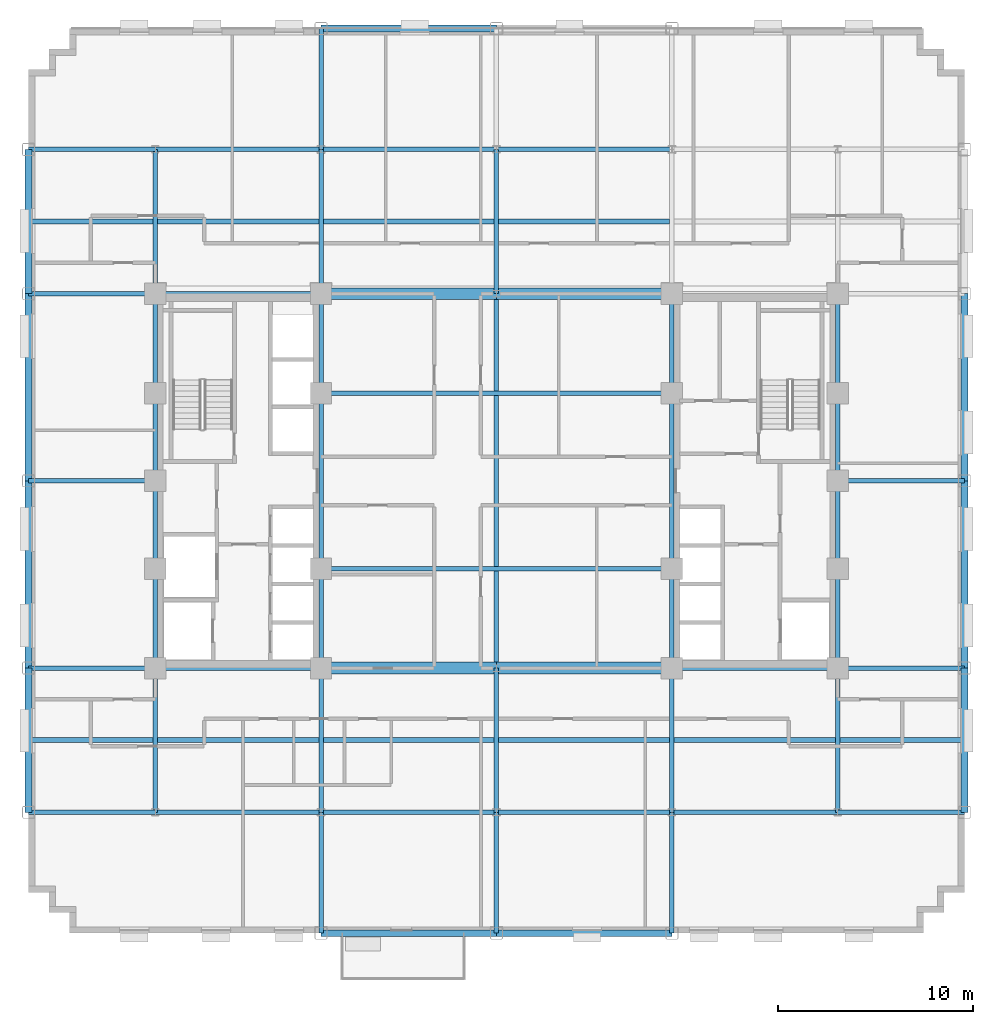
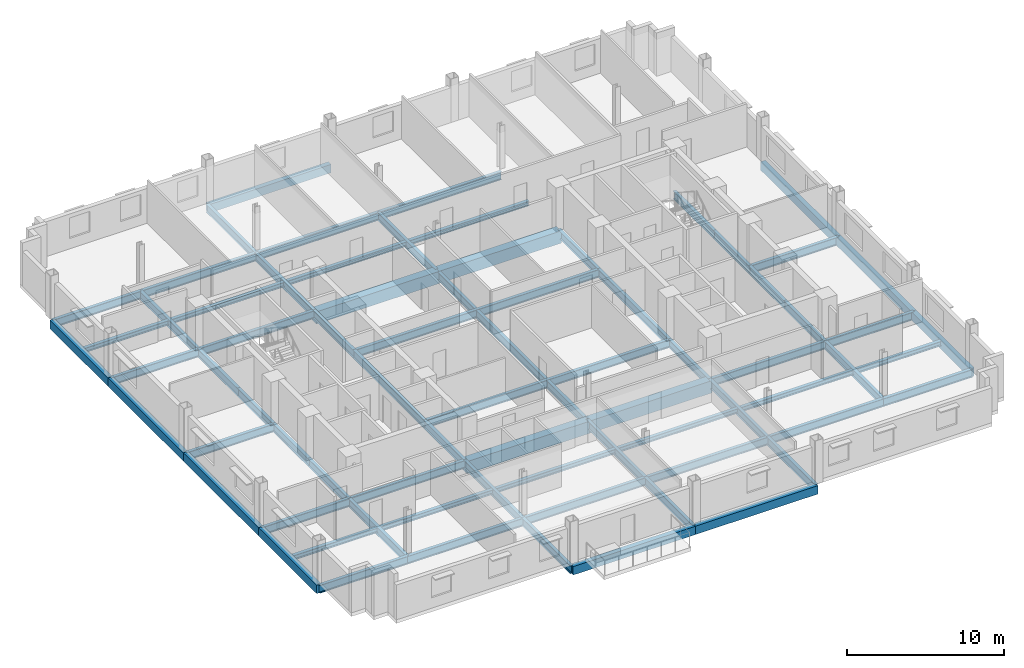
# One storey, part 4 of 14: 71 beams.
"""IFC4 building model written with IfcOpenShell, lengths in metres."""

import ifcopenshell
import ifcopenshell.guid

model = None  # the IFC model being written
_history = None  # IfcOwnerHistory: only IFC2X3 demands one
_inside = {}  # id of a spatial element -> (the spatial element, [elements in it])
_under = {}  # id of a project, library or spatial element -> (it, [spatial elements below it])
_declared = {}  # id of a project -> (the project, [libraries it declares])
_typed = {}  # id of a type object -> (the type object, [elements of that type])
_made_of = {}  # id of a material, layer set ... -> (it, [elements and type objects made of it])


def new_model(schema):
    """Start an empty IFC model of exactly this schema.

    Asked for "IFC4X3", IfcOpenShell would pick the latest addendum, in which some entities
    have other attributes; the version numbers below select the first issue.
    IFC2X3 requires an IfcOwnerHistory on every rooted entity: one is made here for all.
    """
    global model, _history
    if schema == "IFC4X3":
        model = ifcopenshell.file(schema_version=(4, 3, 0, 0))
    else:
        model = ifcopenshell.file(schema=schema)
    _inside.clear()
    _under.clear()
    _declared.clear()
    _typed.clear()
    _made_of.clear()
    _history = None
    if model.schema == "IFC2X3":
        org = make("IfcOrganization", Name="unknown")
        user = make(
            "IfcPersonAndOrganization",
            ThePerson=make("IfcPerson", FamilyName="unknown"),
            TheOrganization=org,
        )
        app = make(
            "IfcApplication",
            ApplicationDeveloper=org,
            Version="unknown",
            ApplicationFullName="unknown",
            ApplicationIdentifier="unknown",
        )
        _history = make(
            "IfcOwnerHistory",
            OwningUser=user,
            OwningApplication=app,
            ChangeAction="ADDED",
            CreationDate=0,
        )
    return model


def make(cls, **values):
    """One entity of the class cls with the attributes given. An attribute that is None is left unset."""
    return model.create_entity(
        cls, **{name: value for name, value in values.items() if value is not None}
    )


def rooted(cls, **values):
    """An entity with a GlobalId (a new one), such as an element, a storey or a relation."""
    return make(cls, GlobalId=ifcopenshell.guid.new(), OwnerHistory=_history, **values)


def si_unit(unit_type, name, prefix=None):
    """IfcSIUnit, for example si_unit("LENGTHUNIT", "METRE", prefix="MILLI")."""
    return make("IfcSIUnit", UnitType=unit_type, Prefix=prefix, Name=name)


def assignment(units):
    """IfcUnitAssignment: the units of a project."""
    return None if units is None else make("IfcUnitAssignment", Units=units)


def point(xyz):
    """IfcCartesianPoint."""
    return None if xyz is None else make("IfcCartesianPoint", Coordinates=xyz)


def direction(xyz):
    """IfcDirection."""
    return None if xyz is None else make("IfcDirection", DirectionRatios=xyz)


def frame(location, z_axis=None, x_axis=None):
    """IfcAxis2Placement3D, a coordinate frame: its origin and axes. An axis left out is left unset."""
    return make(
        "IfcAxis2Placement3D",
        Location=point(location),
        Axis=direction(z_axis),
        RefDirection=direction(x_axis),
    )


def frame_2d(location, x_axis=None):
    """IfcAxis2Placement2D, a coordinate frame in the plane: its origin and x axis."""
    return make(
        "IfcAxis2Placement2D", Location=point(location), RefDirection=direction(x_axis)
    )


def origin():
    """The frame at (0, 0, 0) with its axes left unset."""
    return frame((0.0, 0.0, 0.0))


def origin_2d():
    """The frame at (0, 0) in the plane with its x axis left unset."""
    return frame_2d((0.0, 0.0))


def place(relative_to, where):
    """IfcLocalPlacement: puts the frame where relative to a parent placement (None: the world)."""
    return make(
        "IfcLocalPlacement", PlacementRelTo=relative_to, RelativePlacement=where
    )


def context(
    kind, dimensions, precision=None, world=None, true_north=None, identifier=None
):
    """IfcGeometricRepresentationContext, for example the 3D "Model" context."""
    return make(
        "IfcGeometricRepresentationContext",
        ContextIdentifier=identifier,
        ContextType=kind,
        CoordinateSpaceDimension=dimensions,
        Precision=precision,
        WorldCoordinateSystem=world,
        TrueNorth=true_north,
    )


def subcontext(parent, identifier, kind, view, scale=None):
    """IfcGeometricRepresentationSubContext, for example "Body" below "Model"."""
    return make(
        "IfcGeometricRepresentationSubContext",
        ContextIdentifier=identifier,
        ContextType=kind,
        ParentContext=parent,
        TargetScale=scale,
        TargetView=view,
    )


def project(units=None, contexts=None):
    """IfcProject with its units and contexts."""
    return rooted(
        "IfcProject",
        Name="project",
        RepresentationContexts=contexts,
        UnitsInContext=assignment(units),
    )


def spatial(cls, under=None, at=None, **own):
    """A site, building, storey or space (cls), placed at a placement, below another one or the project."""
    s = rooted(cls, ObjectPlacement=at, **own)
    if under is not None:
        _under.setdefault(under.id(), (under, []))[1].append(s)
    return s


def profile(cls, at=None, kind="AREA", **sizes):
    """A parametric profile (cls). Its sizes go by their IFC names, for example OverallWidth=200.0."""
    return make(cls, ProfileType=kind, Position=at, **sizes)


def rectangle(**sizes):
    """IfcRectangleProfileDef."""
    return profile("IfcRectangleProfileDef", **sizes)


def i_section(**sizes):
    """IfcIShapeProfileDef."""
    return profile("IfcIShapeProfileDef", **sizes)


def extrude(swept, where, along, depth):
    """IfcExtrudedAreaSolid: the profile swept, set in the frame where, extruded along a direction by depth."""
    return make(
        "IfcExtrudedAreaSolid",
        SweptArea=swept,
        Position=where,
        ExtrudedDirection=direction(along),
        Depth=depth,
    )


def shape(context_of_items, identifier, shape_type, items):
    """IfcShapeRepresentation: the items that make up one representation, for example the "Body"."""
    return make(
        "IfcShapeRepresentation",
        ContextOfItems=context_of_items,
        RepresentationIdentifier=identifier,
        RepresentationType=shape_type,
        Items=items,
    )


def material(Name=None, Category=None):
    """IfcMaterial."""
    return make("IfcMaterial", Name=Name, Category=Category)


def material_profile(
    of_material, cross_section, Name=None, Category=None, Priority=None
):
    """IfcMaterialProfile: a cross section and its material."""
    return make(
        "IfcMaterialProfile",
        Name=Name,
        Material=of_material,
        Profile=cross_section,
        Priority=Priority,
        Category=Category,
    )


def profile_set(profiles, Name=None, composite=None):
    """IfcMaterialProfileSet."""
    return make(
        "IfcMaterialProfileSet",
        Name=Name,
        MaterialProfiles=profiles,
        CompositeProfile=composite,
    )


def made_of(thing, what):
    """Note that an element or type object is made of a material, layer set ...; save() writes the relation."""
    if what is not None:
        _made_of.setdefault(what.id(), (what, []))[1].append(thing)
    return thing


def type_object(cls, material=None, **own):
    """A type object (cls), such as IfcWallType, which elements share."""
    return made_of(rooted(cls, **own), material)


def element(
    cls,
    number,
    at=None,
    inside=None,
    cuts=None,
    type_object=None,
    material=None,
    context=None,
    identifier="Body",
    shape_type=None,
    held_by="IfcProductDefinitionShape",
    body=None,
    shapes=None,
    **own,
):
    """One element of the class cls, such as IfcWall. Its Tag is "e" and its number.

    at: its placement. inside: the storey or other place that contains it. cuts: it is an
    opening in that element (IfcRelVoidsElement). A single representation is given by context,
    identifier, shape_type and body (its items); several are given by shapes. held_by: the class
    of the entity that holds the representations. save() writes the other relations.
    """
    e = rooted(cls, Tag="e%d" % number, ObjectPlacement=at, **own)
    if body is not None:
        shapes = [shape(context, identifier, shape_type, body)]
    if shapes is not None:
        e.Representation = make(held_by, Representations=shapes)
    if inside is not None:
        _inside.setdefault(inside.id(), (inside, []))[1].append(e)
    if cuts is not None:
        rooted(
            "IfcRelVoidsElement", RelatingBuildingElement=cuts, RelatedOpeningElement=e
        )
    if type_object is not None:
        _typed.setdefault(type_object.id(), (type_object, []))[1].append(e)
    return made_of(e, material)


def aggregate(whole, parts):
    """IfcRelAggregates: a whole, such as a stair, and the parts it consists of."""
    return rooted("IfcRelAggregates", RelatingObject=whole, RelatedObjects=parts)


def save(model, path):
    """Write the relations noted so far, then the file.

    IfcRelAggregates (storeys below a building ...), IfcRelContainedInSpatialStructure (elements
    in a storey), IfcRelDefinesByType, IfcRelAssociatesMaterial and IfcRelDeclares: one each for
    every whole, place, type object, material and project.
    """
    for whole, parts in _under.values():
        aggregate(whole, parts)
    for where, things in _inside.values():
        rooted(
            "IfcRelContainedInSpatialStructure",
            RelatedElements=things,
            RelatingStructure=where,
        )
    for kind, things in _typed.values():
        rooted("IfcRelDefinesByType", RelatedObjects=things, RelatingType=kind)
    for what, things in _made_of.values():
        rooted("IfcRelAssociatesMaterial", RelatedObjects=things, RelatingMaterial=what)
    for by, libraries in _declared.values():
        rooted("IfcRelDeclares", RelatingContext=by, RelatedDefinitions=libraries)
    model.write(path)


model = new_model("IFC4")

# Units and contexts
model_context = context("Model", 3, precision=1e-05, world=origin(), true_north=direction((0.0, 1.0)))
body_context = subcontext(model_context, "Body", "Model", "MODEL_VIEW")
ifc_project = project(units=[si_unit("LENGTHUNIT", "METRE"), si_unit("AREAUNIT", "SQUARE_METRE"), si_unit("VOLUMEUNIT", "CUBIC_METRE"), si_unit("PLANEANGLEUNIT", "RADIAN"), si_unit("MASSUNIT", "GRAM", prefix="KILO")], contexts=[model_context])

# Site, building, storey
site_placement = place(None, origin())
site = spatial("IfcSite", under=ifc_project, at=site_placement, CompositionType="ELEMENT")
building_placement = place(site_placement, origin())
building = spatial("IfcBuilding", under=site, at=building_placement, Name="Nuvemarco Arch Tower", CompositionType="ELEMENT")
storey_placement = place(building_placement, frame((0.0, 0.0, 109.25)))
storey = spatial("IfcBuildingStorey", under=building, at=storey_placement, Name="L28", CompositionType="ELEMENT", Elevation=109.25)

# Beams
ifc_material_1 = material(Name="Concrete C60/75", Category="concrete")
ifc_material_profile_1 = material_profile(ifc_material_1, rectangle(XDim=0.60009765625, YDim=0.949951171875, at=origin_2d()), Name="RC-BM-600x950")
ifc_profile_set_1 = profile_set([ifc_material_profile_1], Name="Concrete C60/75")
beam_type_1 = type_object("IfcBeamType", Name="BM-COUP-RC", PredefinedType="LINTEL", material=ifc_profile_set_1)
for number, where, z_axis, x_axis, name in (
    (1, (-9.0, -9.60009765625, -0.7548828125), (1.0, 0.0, 0.0), (0.0, 1.0, 0.0), "L28 structural beam BGEW_L28_0_-9.6_-9.0"),
    (2, (0.0, -9.60009765625, -0.7548828125), (1.0, 0.0, 0.0), (0.0, 1.0, 0.0), "L28 structural beam BGEW_L28_0_-9.6_+0.0"),
    (3, (-9.0, 9.60009765625, -0.7548828125), (1.0, 0.0, 0.0), (0.0, 1.0, 0.0), "L28 structural beam BGEW_L28_0_+9.6_-9.0"),
    (4, (0.0, 9.60009765625, -0.7548828125), (1.0, 0.0, 0.0), (0.0, 1.0, 0.0), "L28 structural beam BGEW_L28_0_+9.6_+0.0"),
):
    element("IfcBeam", number, at=place(storey_placement, frame(where, z_axis=z_axis, x_axis=x_axis)), inside=storey, type_object=beam_type_1, Name=name, PredefinedType="LINTEL", context=body_context, shape_type="SweptSolid", body=[
        extrude(rectangle(XDim=0.60009765625, YDim=0.949951171875, at=origin_2d()), origin(), (0.0, 0.0, 1.0), 9.0),
    ])
ifc_material_2 = material(Name="Steel S355", Category="steel")
ifc_material_profile_2 = material_profile(ifc_material_2, i_section(OverallWidth=0.22998046875, OverallDepth=0.616943359375, WebThickness=0.01318359375, FlangeThickness=0.022216796875, FilletRadius=0.01611328125, at=origin_2d()), Name="W610x140")
ifc_profile_set_2 = profile_set([ifc_material_profile_2], Name="Steel S355")
beam_type_2 = type_object("IfcBeamType", Name="BM-GIRD-610", PredefinedType="BEAM", material=ifc_profile_set_2)
beam_1_placement = place(storey_placement, frame((-17.5, -17.0, -0.58837890625), z_axis=(0.0, 1.0, 0.0), x_axis=(-1.0, 0.0, 0.0)))
element("IfcBeam", 5, at=beam_1_placement, inside=storey, type_object=beam_type_2, Name="L28 structural beam BGNS_L28_0_-17.5_-17.0", PredefinedType="BEAM", context=body_context, shape_type="SweptSolid", body=[
    extrude(i_section(OverallWidth=0.22998046875, OverallDepth=0.616943359375, WebThickness=0.01318359375, FlangeThickness=0.022216796875, FilletRadius=0.01611328125, at=origin_2d()), origin(), (0.0, 0.0, 1.0), 7.39990234375),
])
beam_2_placement = place(storey_placement, frame((-17.5, -9.60009765625, -0.58837890625), z_axis=(0.0, 1.0, 0.0), x_axis=(-1.0, 0.0, 0.0)))
element("IfcBeam", 6, at=beam_2_placement, inside=storey, type_object=beam_type_2, Name="L28 structural beam BGNS_L28_0_-17.5_-9.6", PredefinedType="BEAM", context=body_context, shape_type="SweptSolid", body=[
    extrude(i_section(OverallWidth=0.22998046875, OverallDepth=0.616943359375, WebThickness=0.01318359375, FlangeThickness=0.022216796875, FilletRadius=0.01611328125, at=origin_2d()), origin(), (0.0, 0.0, 1.0), 5.10009765625),
])
for number, where, z_axis, x_axis, name in (
    (7, (-17.5, -4.5, -0.58837890625), (0.0, 1.0, 0.0), (-1.0, 0.0, 0.0), "L28 structural beam BGNS_L28_0_-17.5_-4.5"),
    (8, (-17.5, 0.0, -0.58837890625), (0.0, 1.0, 0.0), (-1.0, 0.0, 0.0), "L28 structural beam BGNS_L28_0_-17.5_+0.0"),
):
    element("IfcBeam", number, at=place(storey_placement, frame(where, z_axis=z_axis, x_axis=x_axis)), inside=storey, type_object=beam_type_2, Name=name, PredefinedType="BEAM", context=body_context, shape_type="SweptSolid", body=[
        extrude(i_section(OverallWidth=0.22998046875, OverallDepth=0.616943359375, WebThickness=0.01318359375, FlangeThickness=0.022216796875, FilletRadius=0.01611328125, at=origin_2d()), origin(), (0.0, 0.0, 1.0), 4.5),
    ])
beam_3_placement = place(storey_placement, frame((-17.5, 4.5, -0.58837890625), z_axis=(0.0, 1.0, 0.0), x_axis=(-1.0, 0.0, 0.0)))
element("IfcBeam", 9, at=beam_3_placement, inside=storey, type_object=beam_type_2, Name="L28 structural beam BGNS_L28_0_-17.5_+4.5", PredefinedType="BEAM", context=body_context, shape_type="SweptSolid", body=[
    extrude(i_section(OverallWidth=0.22998046875, OverallDepth=0.616943359375, WebThickness=0.01318359375, FlangeThickness=0.022216796875, FilletRadius=0.01611328125, at=origin_2d()), origin(), (0.0, 0.0, 1.0), 5.10009765625),
])
beam_4_placement = place(storey_placement, frame((-17.5, 9.60009765625, -0.58837890625), z_axis=(0.0, 1.0, 0.0), x_axis=(-1.0, 0.0, 0.0)))
element("IfcBeam", 10, at=beam_4_placement, inside=storey, type_object=beam_type_2, Name="L28 structural beam BGNS_L28_0_-17.5_+9.6", PredefinedType="BEAM", context=body_context, shape_type="SweptSolid", body=[
    extrude(i_section(OverallWidth=0.22998046875, OverallDepth=0.616943359375, WebThickness=0.01318359375, FlangeThickness=0.022216796875, FilletRadius=0.01611328125, at=origin_2d()), origin(), (0.0, 0.0, 1.0), 7.39990234375),
])
beam_5_placement = place(storey_placement, frame((-9.0, -23.199951171875, -0.58837890625), z_axis=(0.0, 1.0, 0.0), x_axis=(-1.0, 0.0, 0.0)))
element("IfcBeam", 11, at=beam_5_placement, inside=storey, type_object=beam_type_2, Name="L28 structural beam BGNS_L28_0_-9.0_-23.2", PredefinedType="BEAM", context=body_context, shape_type="SweptSolid", body=[
    extrude(i_section(OverallWidth=0.22998046875, OverallDepth=0.616943359375, WebThickness=0.01318359375, FlangeThickness=0.022216796875, FilletRadius=0.01611328125, at=origin_2d()), origin(), (0.0, 0.0, 1.0), 6.199951171875),
])
beam_6_placement = place(storey_placement, frame((-9.0, -17.0, -0.58837890625), z_axis=(0.0, 1.0, 0.0), x_axis=(-1.0, 0.0, 0.0)))
element("IfcBeam", 12, at=beam_6_placement, inside=storey, type_object=beam_type_2, Name="L28 structural beam BGNS_L28_0_-9.0_-17.0", PredefinedType="BEAM", context=body_context, shape_type="SweptSolid", body=[
    extrude(i_section(OverallWidth=0.22998046875, OverallDepth=0.616943359375, WebThickness=0.01318359375, FlangeThickness=0.022216796875, FilletRadius=0.01611328125, at=origin_2d()), origin(), (0.0, 0.0, 1.0), 7.39990234375),
])
beam_7_placement = place(storey_placement, frame((-9.0, -9.60009765625, -0.58837890625), z_axis=(0.0, 1.0, 0.0), x_axis=(-1.0, 0.0, 0.0)))
element("IfcBeam", 13, at=beam_7_placement, inside=storey, type_object=beam_type_2, Name="L28 structural beam BGNS_L28_0_-9.0_-9.6", PredefinedType="BEAM", context=body_context, shape_type="SweptSolid", body=[
    extrude(i_section(OverallWidth=0.22998046875, OverallDepth=0.616943359375, WebThickness=0.01318359375, FlangeThickness=0.022216796875, FilletRadius=0.01611328125, at=origin_2d()), origin(), (0.0, 0.0, 1.0), 5.10009765625),
])
beam_8_placement = place(storey_placement, frame((-9.0, -4.5, -0.58837890625), z_axis=(0.0, 1.0, 0.0), x_axis=(-1.0, 0.0, 0.0)))
element("IfcBeam", 14, at=beam_8_placement, inside=storey, type_object=beam_type_2, Name="L28 structural beam BGNS_L28_0_-9.0_-4.5", PredefinedType="BEAM", context=body_context, shape_type="SweptSolid", body=[
    extrude(i_section(OverallWidth=0.22998046875, OverallDepth=0.616943359375, WebThickness=0.01318359375, FlangeThickness=0.022216796875, FilletRadius=0.01611328125, at=origin_2d()), origin(), (0.0, 0.0, 1.0), 9.0),
])
beam_9_placement = place(storey_placement, frame((-9.0, 4.5, -0.58837890625), z_axis=(0.0, 1.0, 0.0), x_axis=(-1.0, 0.0, 0.0)))
element("IfcBeam", 15, at=beam_9_placement, inside=storey, type_object=beam_type_2, Name="L28 structural beam BGNS_L28_0_-9.0_+4.5", PredefinedType="BEAM", context=body_context, shape_type="SweptSolid", body=[
    extrude(i_section(OverallWidth=0.22998046875, OverallDepth=0.616943359375, WebThickness=0.01318359375, FlangeThickness=0.022216796875, FilletRadius=0.01611328125, at=origin_2d()), origin(), (0.0, 0.0, 1.0), 5.10009765625),
])
beam_10_placement = place(storey_placement, frame((-9.0, 9.60009765625, -0.58837890625), z_axis=(0.0, 1.0, 0.0), x_axis=(-1.0, 0.0, 0.0)))
element("IfcBeam", 16, at=beam_10_placement, inside=storey, type_object=beam_type_2, Name="L28 structural beam BGNS_L28_0_-9.0_+9.6", PredefinedType="BEAM", context=body_context, shape_type="SweptSolid", body=[
    extrude(i_section(OverallWidth=0.22998046875, OverallDepth=0.616943359375, WebThickness=0.01318359375, FlangeThickness=0.022216796875, FilletRadius=0.01611328125, at=origin_2d()), origin(), (0.0, 0.0, 1.0), 7.39990234375),
])
for number, where, z_axis, x_axis, name in (
    (17, (-9.0, 17.0, -0.58837890625), (0.0, 1.0, 0.0), (-1.0, 0.0, 0.0), "L28 structural beam BGNS_L28_0_-9.0_+17.0"),
    (18, (0.0, -23.199951171875, -0.58837890625), (0.0, 1.0, 0.0), (-1.0, 0.0, 0.0), "L28 structural beam BGNS_L28_0_+0.0_-23.2"),
):
    element("IfcBeam", number, at=place(storey_placement, frame(where, z_axis=z_axis, x_axis=x_axis)), inside=storey, type_object=beam_type_2, Name=name, PredefinedType="BEAM", context=body_context, shape_type="SweptSolid", body=[
        extrude(i_section(OverallWidth=0.22998046875, OverallDepth=0.616943359375, WebThickness=0.01318359375, FlangeThickness=0.022216796875, FilletRadius=0.01611328125, at=origin_2d()), origin(), (0.0, 0.0, 1.0), 6.199951171875),
    ])
beam_11_placement = place(storey_placement, frame((0.0, -17.0, -0.58837890625), z_axis=(0.0, 1.0, 0.0), x_axis=(-1.0, 0.0, 0.0)))
element("IfcBeam", 19, at=beam_11_placement, inside=storey, type_object=beam_type_2, Name="L28 structural beam BGNS_L28_0_+0.0_-17.0", PredefinedType="BEAM", context=body_context, shape_type="SweptSolid", body=[
    extrude(i_section(OverallWidth=0.22998046875, OverallDepth=0.616943359375, WebThickness=0.01318359375, FlangeThickness=0.022216796875, FilletRadius=0.01611328125, at=origin_2d()), origin(), (0.0, 0.0, 1.0), 7.39990234375),
])
beam_12_placement = place(storey_placement, frame((0.0, -9.60009765625, -0.58837890625), z_axis=(0.0, 1.0, 0.0), x_axis=(-1.0, 0.0, 0.0)))
element("IfcBeam", 20, at=beam_12_placement, inside=storey, type_object=beam_type_2, Name="L28 structural beam BGNS_L28_0_+0.0_-9.6", PredefinedType="BEAM", context=body_context, shape_type="SweptSolid", body=[
    extrude(i_section(OverallWidth=0.22998046875, OverallDepth=0.616943359375, WebThickness=0.01318359375, FlangeThickness=0.022216796875, FilletRadius=0.01611328125, at=origin_2d()), origin(), (0.0, 0.0, 1.0), 19.2001953125),
])
beam_13_placement = place(storey_placement, frame((0.0, 9.60009765625, -0.58837890625), z_axis=(0.0, 1.0, 0.0), x_axis=(-1.0, 0.0, 0.0)))
element("IfcBeam", 21, at=beam_13_placement, inside=storey, type_object=beam_type_2, Name="L28 structural beam BGNS_L28_0_+0.0_+9.6", PredefinedType="BEAM", context=body_context, shape_type="SweptSolid", body=[
    extrude(i_section(OverallWidth=0.22998046875, OverallDepth=0.616943359375, WebThickness=0.01318359375, FlangeThickness=0.022216796875, FilletRadius=0.01611328125, at=origin_2d()), origin(), (0.0, 0.0, 1.0), 7.39990234375),
])
beam_14_placement = place(storey_placement, frame((9.0, -23.199951171875, -0.58837890625), z_axis=(0.0, 1.0, 0.0), x_axis=(-1.0, 0.0, 0.0)))
element("IfcBeam", 22, at=beam_14_placement, inside=storey, type_object=beam_type_2, Name="L28 structural beam BGNS_L28_0_+9.0_-23.2", PredefinedType="BEAM", context=body_context, shape_type="SweptSolid", body=[
    extrude(i_section(OverallWidth=0.22998046875, OverallDepth=0.616943359375, WebThickness=0.01318359375, FlangeThickness=0.022216796875, FilletRadius=0.01611328125, at=origin_2d()), origin(), (0.0, 0.0, 1.0), 6.199951171875),
])
beam_15_placement = place(storey_placement, frame((9.0, -17.0, -0.58837890625), z_axis=(0.0, 1.0, 0.0), x_axis=(-1.0, 0.0, 0.0)))
element("IfcBeam", 23, at=beam_15_placement, inside=storey, type_object=beam_type_2, Name="L28 structural beam BGNS_L28_0_+9.0_-17.0", PredefinedType="BEAM", context=body_context, shape_type="SweptSolid", body=[
    extrude(i_section(OverallWidth=0.22998046875, OverallDepth=0.616943359375, WebThickness=0.01318359375, FlangeThickness=0.022216796875, FilletRadius=0.01611328125, at=origin_2d()), origin(), (0.0, 0.0, 1.0), 7.39990234375),
])
beam_16_placement = place(storey_placement, frame((9.0, -9.60009765625, -0.58837890625), z_axis=(0.0, 1.0, 0.0), x_axis=(-1.0, 0.0, 0.0)))
element("IfcBeam", 24, at=beam_16_placement, inside=storey, type_object=beam_type_2, Name="L28 structural beam BGNS_L28_0_+9.0_-9.6", PredefinedType="BEAM", context=body_context, shape_type="SweptSolid", body=[
    extrude(i_section(OverallWidth=0.22998046875, OverallDepth=0.616943359375, WebThickness=0.01318359375, FlangeThickness=0.022216796875, FilletRadius=0.01611328125, at=origin_2d()), origin(), (0.0, 0.0, 1.0), 5.10009765625),
])
beam_17_placement = place(storey_placement, frame((9.0, -4.5, -0.58837890625), z_axis=(0.0, 1.0, 0.0), x_axis=(-1.0, 0.0, 0.0)))
element("IfcBeam", 25, at=beam_17_placement, inside=storey, type_object=beam_type_2, Name="L28 structural beam BGNS_L28_0_+9.0_-4.5", PredefinedType="BEAM", context=body_context, shape_type="SweptSolid", body=[
    extrude(i_section(OverallWidth=0.22998046875, OverallDepth=0.616943359375, WebThickness=0.01318359375, FlangeThickness=0.022216796875, FilletRadius=0.01611328125, at=origin_2d()), origin(), (0.0, 0.0, 1.0), 9.0),
])
beam_18_placement = place(storey_placement, frame((9.0, 4.5, -0.58837890625), z_axis=(0.0, 1.0, 0.0), x_axis=(-1.0, 0.0, 0.0)))
element("IfcBeam", 26, at=beam_18_placement, inside=storey, type_object=beam_type_2, Name="L28 structural beam BGNS_L28_0_+9.0_+4.5", PredefinedType="BEAM", context=body_context, shape_type="SweptSolid", body=[
    extrude(i_section(OverallWidth=0.22998046875, OverallDepth=0.616943359375, WebThickness=0.01318359375, FlangeThickness=0.022216796875, FilletRadius=0.01611328125, at=origin_2d()), origin(), (0.0, 0.0, 1.0), 5.10009765625),
])
beam_19_placement = place(storey_placement, frame((17.5, -17.0, -0.58837890625), z_axis=(0.0, 1.0, 0.0), x_axis=(-1.0, 0.0, 0.0)))
element("IfcBeam", 27, at=beam_19_placement, inside=storey, type_object=beam_type_2, Name="L28 structural beam BGNS_L28_0_+17.5_-17.0", PredefinedType="BEAM", context=body_context, shape_type="SweptSolid", body=[
    extrude(i_section(OverallWidth=0.22998046875, OverallDepth=0.616943359375, WebThickness=0.01318359375, FlangeThickness=0.022216796875, FilletRadius=0.01611328125, at=origin_2d()), origin(), (0.0, 0.0, 1.0), 7.39990234375),
])
beam_20_placement = place(storey_placement, frame((17.5, -9.60009765625, -0.58837890625), z_axis=(0.0, 1.0, 0.0), x_axis=(-1.0, 0.0, 0.0)))
element("IfcBeam", 28, at=beam_20_placement, inside=storey, type_object=beam_type_2, Name="L28 structural beam BGNS_L28_0_+17.5_-9.6", PredefinedType="BEAM", context=body_context, shape_type="SweptSolid", body=[
    extrude(i_section(OverallWidth=0.22998046875, OverallDepth=0.616943359375, WebThickness=0.01318359375, FlangeThickness=0.022216796875, FilletRadius=0.01611328125, at=origin_2d()), origin(), (0.0, 0.0, 1.0), 5.10009765625),
])
for number, where, z_axis, x_axis, name in (
    (29, (17.5, -4.5, -0.58837890625), (0.0, 1.0, 0.0), (-1.0, 0.0, 0.0), "L28 structural beam BGNS_L28_0_+17.5_-4.5"),
    (30, (17.5, 0.0, -0.58837890625), (0.0, 1.0, 0.0), (-1.0, 0.0, 0.0), "L28 structural beam BGNS_L28_0_+17.5_+0.0"),
):
    element("IfcBeam", number, at=place(storey_placement, frame(where, z_axis=z_axis, x_axis=x_axis)), inside=storey, type_object=beam_type_2, Name=name, PredefinedType="BEAM", context=body_context, shape_type="SweptSolid", body=[
        extrude(i_section(OverallWidth=0.22998046875, OverallDepth=0.616943359375, WebThickness=0.01318359375, FlangeThickness=0.022216796875, FilletRadius=0.01611328125, at=origin_2d()), origin(), (0.0, 0.0, 1.0), 4.5),
    ])
beam_21_placement = place(storey_placement, frame((17.5, 4.5, -0.58837890625), z_axis=(0.0, 1.0, 0.0), x_axis=(-1.0, 0.0, 0.0)))
element("IfcBeam", 31, at=beam_21_placement, inside=storey, type_object=beam_type_2, Name="L28 structural beam BGNS_L28_0_+17.5_+4.5", PredefinedType="BEAM", context=body_context, shape_type="SweptSolid", body=[
    extrude(i_section(OverallWidth=0.22998046875, OverallDepth=0.616943359375, WebThickness=0.01318359375, FlangeThickness=0.022216796875, FilletRadius=0.01611328125, at=origin_2d()), origin(), (0.0, 0.0, 1.0), 5.10009765625),
])
beam_22_placement = place(storey_placement, frame((-24.0, -17.0, -0.58837890625), z_axis=(1.0, 0.0, 0.0), x_axis=(0.0, 1.0, 0.0)))
element("IfcBeam", 32, at=beam_22_placement, inside=storey, type_object=beam_type_2, Name="L28 structural beam BGEW_L28_0_-17.0_-24.0", PredefinedType="BEAM", context=body_context, shape_type="SweptSolid", body=[
    extrude(i_section(OverallWidth=0.22998046875, OverallDepth=0.616943359375, WebThickness=0.01318359375, FlangeThickness=0.022216796875, FilletRadius=0.01611328125, at=origin_2d()), origin(), (0.0, 0.0, 1.0), 6.5),
])
beam_23_placement = place(storey_placement, frame((-17.5, -17.0, -0.58837890625), z_axis=(1.0, 0.0, 0.0), x_axis=(0.0, 1.0, 0.0)))
element("IfcBeam", 33, at=beam_23_placement, inside=storey, type_object=beam_type_2, Name="L28 structural beam BGEW_L28_0_-17.0_-17.5", PredefinedType="BEAM", context=body_context, shape_type="SweptSolid", body=[
    extrude(i_section(OverallWidth=0.22998046875, OverallDepth=0.616943359375, WebThickness=0.01318359375, FlangeThickness=0.022216796875, FilletRadius=0.01611328125, at=origin_2d()), origin(), (0.0, 0.0, 1.0), 8.5),
])
for number, where, z_axis, x_axis, name in (
    (34, (-9.0, -17.0, -0.58837890625), (1.0, 0.0, 0.0), (0.0, 1.0, 0.0), "L28 structural beam BGEW_L28_0_-17.0_-9.0"),
    (35, (0.0, -17.0, -0.58837890625), (1.0, 0.0, 0.0), (0.0, 1.0, 0.0), "L28 structural beam BGEW_L28_0_-17.0_+0.0"),
):
    element("IfcBeam", number, at=place(storey_placement, frame(where, z_axis=z_axis, x_axis=x_axis)), inside=storey, type_object=beam_type_2, Name=name, PredefinedType="BEAM", context=body_context, shape_type="SweptSolid", body=[
        extrude(i_section(OverallWidth=0.22998046875, OverallDepth=0.616943359375, WebThickness=0.01318359375, FlangeThickness=0.022216796875, FilletRadius=0.01611328125, at=origin_2d()), origin(), (0.0, 0.0, 1.0), 9.0),
    ])
beam_24_placement = place(storey_placement, frame((9.0, -17.0, -0.58837890625), z_axis=(1.0, 0.0, 0.0), x_axis=(0.0, 1.0, 0.0)))
element("IfcBeam", 36, at=beam_24_placement, inside=storey, type_object=beam_type_2, Name="L28 structural beam BGEW_L28_0_-17.0_+9.0", PredefinedType="BEAM", context=body_context, shape_type="SweptSolid", body=[
    extrude(i_section(OverallWidth=0.22998046875, OverallDepth=0.616943359375, WebThickness=0.01318359375, FlangeThickness=0.022216796875, FilletRadius=0.01611328125, at=origin_2d()), origin(), (0.0, 0.0, 1.0), 8.5),
])
for number, where, z_axis, x_axis, name in (
    (37, (17.5, -17.0, -0.58837890625), (1.0, 0.0, 0.0), (0.0, 1.0, 0.0), "L28 structural beam BGEW_L28_0_-17.0_+17.5"),
    (38, (-24.0, -9.60009765625, -0.58837890625), (1.0, 0.0, 0.0), (0.0, 1.0, 0.0), "L28 structural beam BGEW_L28_0_-9.6_-24.0"),
):
    element("IfcBeam", number, at=place(storey_placement, frame(where, z_axis=z_axis, x_axis=x_axis)), inside=storey, type_object=beam_type_2, Name=name, PredefinedType="BEAM", context=body_context, shape_type="SweptSolid", body=[
        extrude(i_section(OverallWidth=0.22998046875, OverallDepth=0.616943359375, WebThickness=0.01318359375, FlangeThickness=0.022216796875, FilletRadius=0.01611328125, at=origin_2d()), origin(), (0.0, 0.0, 1.0), 6.5),
    ])
for number, where, z_axis, x_axis, name in (
    (39, (-17.5, -9.60009765625, -0.58837890625), (1.0, 0.0, 0.0), (0.0, 1.0, 0.0), "L28 structural beam BGEW_L28_0_-9.6_-17.5"),
    (40, (9.0, -9.60009765625, -0.58837890625), (1.0, 0.0, 0.0), (0.0, 1.0, 0.0), "L28 structural beam BGEW_L28_0_-9.6_+9.0"),
):
    element("IfcBeam", number, at=place(storey_placement, frame(where, z_axis=z_axis, x_axis=x_axis)), inside=storey, type_object=beam_type_2, Name=name, PredefinedType="BEAM", context=body_context, shape_type="SweptSolid", body=[
        extrude(i_section(OverallWidth=0.22998046875, OverallDepth=0.616943359375, WebThickness=0.01318359375, FlangeThickness=0.022216796875, FilletRadius=0.01611328125, at=origin_2d()), origin(), (0.0, 0.0, 1.0), 8.5),
    ])
beam_25_placement = place(storey_placement, frame((17.5, -9.60009765625, -0.58837890625), z_axis=(1.0, 0.0, 0.0), x_axis=(0.0, 1.0, 0.0)))
element("IfcBeam", 41, at=beam_25_placement, inside=storey, type_object=beam_type_2, Name="L28 structural beam BGEW_L28_0_-9.6_+17.5", PredefinedType="BEAM", context=body_context, shape_type="SweptSolid", body=[
    extrude(i_section(OverallWidth=0.22998046875, OverallDepth=0.616943359375, WebThickness=0.01318359375, FlangeThickness=0.022216796875, FilletRadius=0.01611328125, at=origin_2d()), origin(), (0.0, 0.0, 1.0), 6.5),
])
beam_26_placement = place(storey_placement, frame((-9.0, -4.5, -0.58837890625), z_axis=(1.0, 0.0, 0.0), x_axis=(0.0, 1.0, 0.0)))
element("IfcBeam", 42, at=beam_26_placement, inside=storey, type_object=beam_type_2, Name="L28 structural beam BGEW_L28_0_-4.5_-9.0", PredefinedType="BEAM", context=body_context, shape_type="SweptSolid", body=[
    extrude(i_section(OverallWidth=0.22998046875, OverallDepth=0.616943359375, WebThickness=0.01318359375, FlangeThickness=0.022216796875, FilletRadius=0.01611328125, at=origin_2d()), origin(), (0.0, 0.0, 1.0), 18.0),
])
for number, where, z_axis, x_axis, name in (
    (43, (-24.0, 0.0, -0.58837890625), (1.0, 0.0, 0.0), (0.0, 1.0, 0.0), "L28 structural beam BGEW_L28_0_+0.0_-24.0"),
    (44, (17.5, 0.0, -0.58837890625), (1.0, 0.0, 0.0), (0.0, 1.0, 0.0), "L28 structural beam BGEW_L28_0_+0.0_+17.5"),
):
    element("IfcBeam", number, at=place(storey_placement, frame(where, z_axis=z_axis, x_axis=x_axis)), inside=storey, type_object=beam_type_2, Name=name, PredefinedType="BEAM", context=body_context, shape_type="SweptSolid", body=[
        extrude(i_section(OverallWidth=0.22998046875, OverallDepth=0.616943359375, WebThickness=0.01318359375, FlangeThickness=0.022216796875, FilletRadius=0.01611328125, at=origin_2d()), origin(), (0.0, 0.0, 1.0), 6.5),
    ])
beam_27_placement = place(storey_placement, frame((-9.0, 4.5, -0.58837890625), z_axis=(1.0, 0.0, 0.0), x_axis=(0.0, 1.0, 0.0)))
element("IfcBeam", 45, at=beam_27_placement, inside=storey, type_object=beam_type_2, Name="L28 structural beam BGEW_L28_0_+4.5_-9.0", PredefinedType="BEAM", context=body_context, shape_type="SweptSolid", body=[
    extrude(i_section(OverallWidth=0.22998046875, OverallDepth=0.616943359375, WebThickness=0.01318359375, FlangeThickness=0.022216796875, FilletRadius=0.01611328125, at=origin_2d()), origin(), (0.0, 0.0, 1.0), 18.0),
])
beam_28_placement = place(storey_placement, frame((-24.0, 9.60009765625, -0.58837890625), z_axis=(1.0, 0.0, 0.0), x_axis=(0.0, 1.0, 0.0)))
element("IfcBeam", 46, at=beam_28_placement, inside=storey, type_object=beam_type_2, Name="L28 structural beam BGEW_L28_0_+9.6_-24.0", PredefinedType="BEAM", context=body_context, shape_type="SweptSolid", body=[
    extrude(i_section(OverallWidth=0.22998046875, OverallDepth=0.616943359375, WebThickness=0.01318359375, FlangeThickness=0.022216796875, FilletRadius=0.01611328125, at=origin_2d()), origin(), (0.0, 0.0, 1.0), 6.5),
])
beam_29_placement = place(storey_placement, frame((-17.5, 9.60009765625, -0.58837890625), z_axis=(1.0, 0.0, 0.0), x_axis=(0.0, 1.0, 0.0)))
element("IfcBeam", 47, at=beam_29_placement, inside=storey, type_object=beam_type_2, Name="L28 structural beam BGEW_L28_0_+9.6_-17.5", PredefinedType="BEAM", context=body_context, shape_type="SweptSolid", body=[
    extrude(i_section(OverallWidth=0.22998046875, OverallDepth=0.616943359375, WebThickness=0.01318359375, FlangeThickness=0.022216796875, FilletRadius=0.01611328125, at=origin_2d()), origin(), (0.0, 0.0, 1.0), 8.5),
])
beam_30_placement = place(storey_placement, frame((-24.0, 17.0, -0.58837890625), z_axis=(1.0, 0.0, 0.0), x_axis=(0.0, 1.0, 0.0)))
element("IfcBeam", 48, at=beam_30_placement, inside=storey, type_object=beam_type_2, Name="L28 structural beam BGEW_L28_0_+17.0_-24.0", PredefinedType="BEAM", context=body_context, shape_type="SweptSolid", body=[
    extrude(i_section(OverallWidth=0.22998046875, OverallDepth=0.616943359375, WebThickness=0.01318359375, FlangeThickness=0.022216796875, FilletRadius=0.01611328125, at=origin_2d()), origin(), (0.0, 0.0, 1.0), 6.5),
])
beam_31_placement = place(storey_placement, frame((-17.5, 17.0, -0.58837890625), z_axis=(1.0, 0.0, 0.0), x_axis=(0.0, 1.0, 0.0)))
element("IfcBeam", 49, at=beam_31_placement, inside=storey, type_object=beam_type_2, Name="L28 structural beam BGEW_L28_0_+17.0_-17.5", PredefinedType="BEAM", context=body_context, shape_type="SweptSolid", body=[
    extrude(i_section(OverallWidth=0.22998046875, OverallDepth=0.616943359375, WebThickness=0.01318359375, FlangeThickness=0.022216796875, FilletRadius=0.01611328125, at=origin_2d()), origin(), (0.0, 0.0, 1.0), 8.5),
])
for number, where, z_axis, x_axis, name in (
    (50, (-9.0, 17.0, -0.58837890625), (1.0, 0.0, 0.0), (0.0, 1.0, 0.0), "L28 structural beam BGEW_L28_0_+17.0_-9.0"),
    (51, (0.0, 17.0, -0.58837890625), (1.0, 0.0, 0.0), (0.0, 1.0, 0.0), "L28 structural beam BGEW_L28_0_+17.0_+0.0"),
):
    element("IfcBeam", number, at=place(storey_placement, frame(where, z_axis=z_axis, x_axis=x_axis)), inside=storey, type_object=beam_type_2, Name=name, PredefinedType="BEAM", context=body_context, shape_type="SweptSolid", body=[
        extrude(i_section(OverallWidth=0.22998046875, OverallDepth=0.616943359375, WebThickness=0.01318359375, FlangeThickness=0.022216796875, FilletRadius=0.01611328125, at=origin_2d()), origin(), (0.0, 0.0, 1.0), 9.0),
    ])
ifc_material_profile_3 = material_profile(ifc_material_2, i_section(OverallWidth=0.2548828125, OverallDepth=0.35693359375, WebThickness=0.010498046875, FlangeThickness=0.018310546875, FilletRadius=0.014892578125, at=origin_2d()), Name="W360x101")
ifc_profile_set_3 = profile_set([ifc_material_profile_3], Name="Steel S355")
beam_type_3 = type_object("IfcBeamType", Name="BM-JOIST-360H", PredefinedType="JOIST", material=ifc_profile_set_3)
beam_32_placement = place(storey_placement, frame((-23.824951171875, -13.300048828125, -0.45849609375), z_axis=(1.0, 0.0, 0.0), x_axis=(0.0, 1.0, 0.0)))
element("IfcBeam", 52, at=beam_32_placement, inside=storey, type_object=beam_type_3, Name="L28 structural beam BJ_L28_0_-13.3_-24.0", PredefinedType="JOIST", context=body_context, shape_type="SweptSolid", body=[
    extrude(i_section(OverallWidth=0.2548828125, OverallDepth=0.35693359375, WebThickness=0.010498046875, FlangeThickness=0.018310546875, FilletRadius=0.014892578125, at=origin_2d()), origin(), (0.0, 0.0, 1.0), 6.2099609375),
])
beam_33_placement = place(storey_placement, frame((-17.385009765625, -13.300048828125, -0.45849609375), z_axis=(1.0, 0.0, 0.0), x_axis=(0.0, 1.0, 0.0)))
element("IfcBeam", 53, at=beam_33_placement, inside=storey, type_object=beam_type_3, Name="L28 structural beam BJ_L28_0_-13.3_-17.5", PredefinedType="JOIST", context=body_context, shape_type="SweptSolid", body=[
    extrude(i_section(OverallWidth=0.2548828125, OverallDepth=0.35693359375, WebThickness=0.010498046875, FlangeThickness=0.018310546875, FilletRadius=0.014892578125, at=origin_2d()), origin(), (0.0, 0.0, 1.0), 8.27001953125),
])
for number, where, z_axis, x_axis, name in (
    (54, (-8.885009765625, -13.300048828125, -0.45849609375), (1.0, 0.0, 0.0), (0.0, 1.0, 0.0), "L28 structural beam BJ_L28_0_-13.3_-9.0"),
    (55, (0.114990234375, -13.300048828125, -0.45849609375), (1.0, 0.0, 0.0), (0.0, 1.0, 0.0), "L28 structural beam BJ_L28_0_-13.3_+0.0"),
):
    element("IfcBeam", number, at=place(storey_placement, frame(where, z_axis=z_axis, x_axis=x_axis)), inside=storey, type_object=beam_type_3, Name=name, PredefinedType="JOIST", context=body_context, shape_type="SweptSolid", body=[
        extrude(i_section(OverallWidth=0.2548828125, OverallDepth=0.35693359375, WebThickness=0.010498046875, FlangeThickness=0.018310546875, FilletRadius=0.014892578125, at=origin_2d()), origin(), (0.0, 0.0, 1.0), 8.77001953125),
    ])
beam_34_placement = place(storey_placement, frame((9.114990234375, -13.300048828125, -0.45849609375), z_axis=(1.0, 0.0, 0.0), x_axis=(0.0, 1.0, 0.0)))
element("IfcBeam", 56, at=beam_34_placement, inside=storey, type_object=beam_type_3, Name="L28 structural beam BJ_L28_0_-13.3_+9.0", PredefinedType="JOIST", context=body_context, shape_type="SweptSolid", body=[
    extrude(i_section(OverallWidth=0.2548828125, OverallDepth=0.35693359375, WebThickness=0.010498046875, FlangeThickness=0.018310546875, FilletRadius=0.014892578125, at=origin_2d()), origin(), (0.0, 0.0, 1.0), 8.27001953125),
])
for number, where, z_axis, x_axis, name in (
    (57, (17.614990234375, -13.300048828125, -0.45849609375), (1.0, 0.0, 0.0), (0.0, 1.0, 0.0), "L28 structural beam BJ_L28_0_-13.3_+17.5"),
    (58, (-23.824951171875, 13.300048828125, -0.45849609375), (1.0, 0.0, 0.0), (0.0, 1.0, 0.0), "L28 structural beam BJ_L28_0_+13.3_-24.0"),
):
    element("IfcBeam", number, at=place(storey_placement, frame(where, z_axis=z_axis, x_axis=x_axis)), inside=storey, type_object=beam_type_3, Name=name, PredefinedType="JOIST", context=body_context, shape_type="SweptSolid", body=[
        extrude(i_section(OverallWidth=0.2548828125, OverallDepth=0.35693359375, WebThickness=0.010498046875, FlangeThickness=0.018310546875, FilletRadius=0.014892578125, at=origin_2d()), origin(), (0.0, 0.0, 1.0), 6.2099609375),
    ])
beam_35_placement = place(storey_placement, frame((-17.385009765625, 13.300048828125, -0.45849609375), z_axis=(1.0, 0.0, 0.0), x_axis=(0.0, 1.0, 0.0)))
element("IfcBeam", 59, at=beam_35_placement, inside=storey, type_object=beam_type_3, Name="L28 structural beam BJ_L28_0_+13.3_-17.5", PredefinedType="JOIST", context=body_context, shape_type="SweptSolid", body=[
    extrude(i_section(OverallWidth=0.2548828125, OverallDepth=0.35693359375, WebThickness=0.010498046875, FlangeThickness=0.018310546875, FilletRadius=0.014892578125, at=origin_2d()), origin(), (0.0, 0.0, 1.0), 8.27001953125),
])
for number, where, z_axis, x_axis, name in (
    (60, (-8.885009765625, 13.300048828125, -0.45849609375), (1.0, 0.0, 0.0), (0.0, 1.0, 0.0), "L28 structural beam BJ_L28_0_+13.3_-9.0"),
    (61, (0.114990234375, 13.300048828125, -0.45849609375), (1.0, 0.0, 0.0), (0.0, 1.0, 0.0), "L28 structural beam BJ_L28_0_+13.3_+0.0"),
):
    element("IfcBeam", number, at=place(storey_placement, frame(where, z_axis=z_axis, x_axis=x_axis)), inside=storey, type_object=beam_type_3, Name=name, PredefinedType="JOIST", context=body_context, shape_type="SweptSolid", body=[
        extrude(i_section(OverallWidth=0.2548828125, OverallDepth=0.35693359375, WebThickness=0.010498046875, FlangeThickness=0.018310546875, FilletRadius=0.014892578125, at=origin_2d()), origin(), (0.0, 0.0, 1.0), 8.77001953125),
    ])
ifc_material_3 = material(Name="Precast concrete C45/55", Category="concrete")
ifc_material_profile_4 = material_profile(ifc_material_3, rectangle(XDim=0.35009765625, YDim=0.64990234375, at=origin_2d()), Name="PC-SP-350x650")
ifc_profile_set_4 = profile_set([ifc_material_profile_4], Name="Precast concrete C45/55")
beam_type_4 = type_object("IfcBeamType", Name="BM-SPAN-RC", PredefinedType="SPANDREL", material=ifc_profile_set_4)
beam_36_placement = place(storey_placement, frame((-24.0, -17.0, -0.60498046875), z_axis=(0.0, 1.0, 0.0), x_axis=(-1.0, 0.0, 0.0)))
element("IfcBeam", 62, at=beam_36_placement, inside=storey, type_object=beam_type_4, Name="L28 structural beam BGNS_L28_0_-24.0_-17.0", PredefinedType="SPANDREL", context=body_context, shape_type="SweptSolid", body=[
    extrude(rectangle(XDim=0.35009765625, YDim=0.64990234375, at=origin_2d()), origin(), (0.0, 0.0, 1.0), 7.39990234375),
])
for number, where, z_axis, x_axis, name in (
    (63, (-24.0, -9.60009765625, -0.60498046875), (0.0, 1.0, 0.0), (-1.0, 0.0, 0.0), "L28 structural beam BGNS_L28_0_-24.0_-9.6"),
    (64, (-24.0, 0.0, -0.60498046875), (0.0, 1.0, 0.0), (-1.0, 0.0, 0.0), "L28 structural beam BGNS_L28_0_-24.0_+0.0"),
):
    element("IfcBeam", number, at=place(storey_placement, frame(where, z_axis=z_axis, x_axis=x_axis)), inside=storey, type_object=beam_type_4, Name=name, PredefinedType="SPANDREL", context=body_context, shape_type="SweptSolid", body=[
        extrude(rectangle(XDim=0.35009765625, YDim=0.64990234375, at=origin_2d()), origin(), (0.0, 0.0, 1.0), 9.60009765625),
    ])
for number, where, z_axis, x_axis, name in (
    (65, (-24.0, 9.60009765625, -0.60498046875), (0.0, 1.0, 0.0), (-1.0, 0.0, 0.0), "L28 structural beam BGNS_L28_0_-24.0_+9.6"),
    (66, (24.0, -17.0, -0.60498046875), (0.0, 1.0, 0.0), (-1.0, 0.0, 0.0), "L28 structural beam BGNS_L28_0_+24.0_-17.0"),
):
    element("IfcBeam", number, at=place(storey_placement, frame(where, z_axis=z_axis, x_axis=x_axis)), inside=storey, type_object=beam_type_4, Name=name, PredefinedType="SPANDREL", context=body_context, shape_type="SweptSolid", body=[
        extrude(rectangle(XDim=0.35009765625, YDim=0.64990234375, at=origin_2d()), origin(), (0.0, 0.0, 1.0), 7.39990234375),
    ])
for number, where, z_axis, x_axis, name in (
    (67, (24.0, -9.60009765625, -0.60498046875), (0.0, 1.0, 0.0), (-1.0, 0.0, 0.0), "L28 structural beam BGNS_L28_0_+24.0_-9.6"),
    (68, (24.0, 0.0, -0.60498046875), (0.0, 1.0, 0.0), (-1.0, 0.0, 0.0), "L28 structural beam BGNS_L28_0_+24.0_+0.0"),
):
    element("IfcBeam", number, at=place(storey_placement, frame(where, z_axis=z_axis, x_axis=x_axis)), inside=storey, type_object=beam_type_4, Name=name, PredefinedType="SPANDREL", context=body_context, shape_type="SweptSolid", body=[
        extrude(rectangle(XDim=0.35009765625, YDim=0.64990234375, at=origin_2d()), origin(), (0.0, 0.0, 1.0), 9.60009765625),
    ])
for number, where, z_axis, x_axis, name in (
    (69, (-9.0, -23.199951171875, -0.60498046875), (1.0, 0.0, 0.0), (0.0, 1.0, 0.0), "L28 structural beam BGEW_L28_0_-23.2_-9.0"),
    (70, (0.0, -23.199951171875, -0.60498046875), (1.0, 0.0, 0.0), (0.0, 1.0, 0.0), "L28 structural beam BGEW_L28_0_-23.2_+0.0"),
    (71, (-9.0, 23.199951171875, -0.60498046875), (1.0, 0.0, 0.0), (0.0, 1.0, 0.0), "L28 structural beam BGEW_L28_0_+23.2_-9.0"),
):
    element("IfcBeam", number, at=place(storey_placement, frame(where, z_axis=z_axis, x_axis=x_axis)), inside=storey, type_object=beam_type_4, Name=name, PredefinedType="SPANDREL", context=body_context, shape_type="SweptSolid", body=[
        extrude(rectangle(XDim=0.35009765625, YDim=0.64990234375, at=origin_2d()), origin(), (0.0, 0.0, 1.0), 9.0),
    ])

save(model, "model.ifc")
